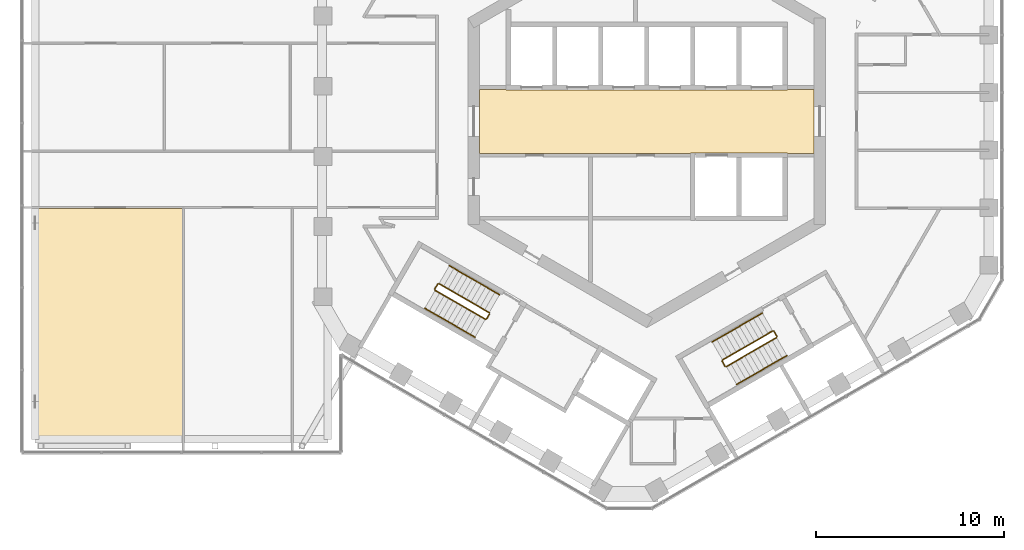
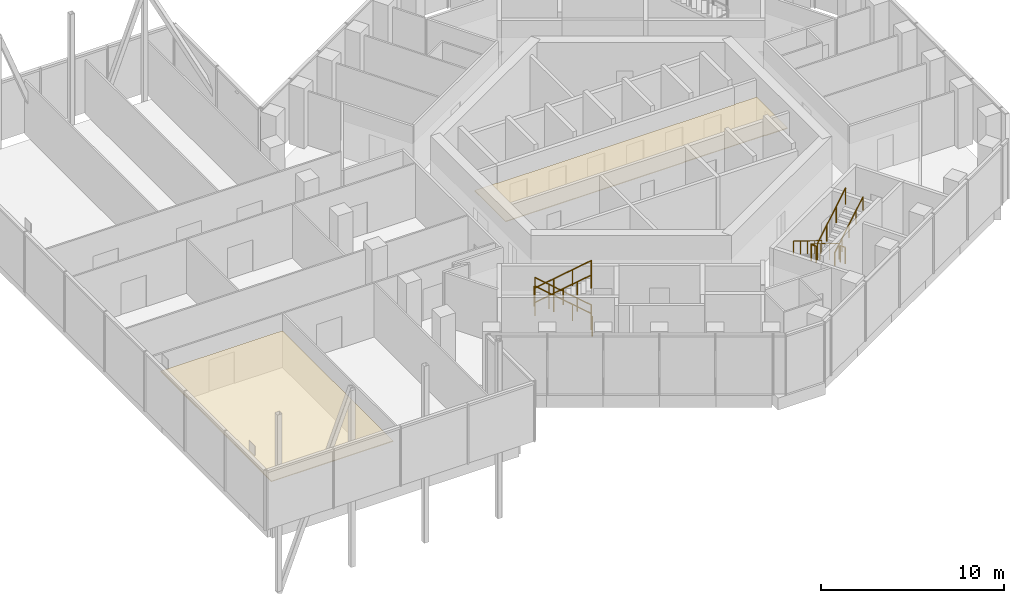
# One storey, part 20 of 21: 16 railings, 2 coverings.
"""IFC4 building model written with IfcOpenShell, lengths in metres."""

from ifc_helpers import new_model, si_unit, direction, frame, origin, origin_2d, place, context, subcontext, project, spatial, polyline, circle, outline, extrude, material, layer, layer_set, type_object, element, save


model = new_model("IFC4")

# Units and contexts
model_context = context("Model", 3, precision=1e-05, world=origin(), true_north=direction((0.0, 1.0)))
body_context = subcontext(model_context, "Body", "Model", "MODEL_VIEW")
ifc_project = project(units=[si_unit("LENGTHUNIT", "METRE"), si_unit("AREAUNIT", "SQUARE_METRE"), si_unit("VOLUMEUNIT", "CUBIC_METRE"), si_unit("PLANEANGLEUNIT", "RADIAN"), si_unit("MASSUNIT", "GRAM", prefix="KILO")], contexts=[model_context])

# Site, building, storey
site_placement = place(None, origin())
site = spatial("IfcSite", under=ifc_project, at=site_placement, CompositionType="ELEMENT")
building_placement = place(site_placement, origin())
building = spatial("IfcBuilding", under=site, at=building_placement, Name="Ayvan Gate Tower", CompositionType="ELEMENT")
storey_placement = place(building_placement, frame((0.0, 0.0, 206.10009765625)))
storey = spatial("IfcBuildingStorey", under=building, at=storey_placement, Name="L55", CompositionType="ELEMENT", Elevation=206.10009765625)

# Coverings
ifc_material_1 = material(Name="Plasterboard suspended ceiling")
ifc_layer = layer(ifc_material_1, 0.050048828125)
ifc_layer_set = layer_set([ifc_layer], Name="Plasterboard suspended ceiling")
covering_type = type_object("IfcCoveringType", Name="CT-SUSP-50", PredefinedType="CEILING", material=ifc_layer_set)
covering_1_placement = place(storey_placement, frame((0.0, 0.0, 2.39990234375)))
element("IfcCovering", 1, at=covering_1_placement, inside=storey, type_object=covering_type, Name="Ceiling Lift Lobby L55", PredefinedType="CEILING", context=body_context, shape_type="SweptSolid", body=[
    extrude(outline(polyline([(7.47509765625, -1.675048828125), (2.324951171875, -1.675048828125), (2.324951171875, -1.699951171875), (-8.89990234375, -1.699951171875), (-8.89990234375, 1.699951171875), (-7.47509765625, 1.699951171875), (-7.47509765625, 1.675048828125), (7.47509765625, 1.675048828125), (7.47509765625, 1.699951171875), (8.89990234375, 1.699951171875), (8.89990234375, -1.699951171875), (7.47509765625, -1.699951171875), (7.47509765625, -1.675048828125)])), origin(), (0.0, 0.0, 1.0), 0.050048828125),
])
covering_2_placement = place(storey_placement, frame((0.0, 0.0, 2.39990234375)))
element("IfcCovering", 2, at=covering_2_placement, inside=storey, type_object=covering_type, Name="Ceiling Reading Room 6 L55", PredefinedType="CEILING", context=body_context, shape_type="SweptSolid", body=[
    extrude(outline(polyline([(-24.68603515625, -4.628173828125), (-24.68603515625, -16.75), (-32.374267578125, -16.75), (-32.374267578125, -4.628173828125), (-24.68603515625, -4.628173828125)])), origin(), (0.0, 0.0, 1.0), 0.050048828125),
])

# Railings
ifc_material_2 = material(Name="Stainless steel balustrade", Category="steel")
railing_type_1 = type_object("IfcRailingType", Name="RL-GUARD-1100", PredefinedType="GUARDRAIL", material=ifc_material_2)
railing_1_placement = place(storey_placement, frame((-8.381103515625, -10.16650390625, 0.16650390625)))
element("IfcRailing", 3, at=railing_1_placement, inside=storey, type_object=railing_type_1, Name="L55 STS2 stair guard 1", PredefinedType="GUARDRAIL", context=body_context, shape_type="SweptSolid", body=[
    extrude(circle(Radius=0.02392578125, at=origin_2d()), frame((0.0, 0.0, 1.076171875), z_axis=(-0.7441639146, 0.429634447492, 0.511502013422), x_axis=(-0.499992328818, -0.866029832698, 0.0)), (0.0, 0.0, 1.0), 3.58447265625),
    extrude(circle(Radius=0.02099609375, at=origin_2d()), origin(), (0.0, 0.0, 1.0), 1.052001953125),
    extrude(circle(Radius=0.02099609375, at=origin_2d()), frame((-0.88916015625, 0.513427734375, 0.611083984375)), (0.0, 0.0, 1.0), 1.052001953125),
    extrude(circle(Radius=0.02099609375, at=origin_2d()), frame((-1.7783203125, 1.026611328125, 1.222412109375)), (0.0, 0.0, 1.0), 1.052001953125),
    extrude(circle(Radius=0.02099609375, at=origin_2d()), frame((-2.66748046875, 1.5400390625, 1.83349609375)), (0.0, 0.0, 1.0), 1.052001953125),
])
railing_2_placement = place(storey_placement, frame((-11.11669921875, -8.644775390625, 2.0)))
element("IfcRailing", 4, at=railing_2_placement, inside=storey, type_object=railing_type_1, Name="L55 STS2 stair guard 2", PredefinedType="GUARDRAIL", context=body_context, shape_type="SweptSolid", body=[
    extrude(circle(Radius=0.02392578125, at=origin_2d()), frame((0.0, 0.0, 1.076171875), z_axis=(-0.499949632511, -0.866054481515, 0.0), x_axis=(0.866054481515, -0.499949632511, 0.0)), (0.0, 0.0, 1.0), 0.31005859375),
    extrude(circle(Radius=0.02099609375, at=origin_2d()), origin(), (0.0, 0.0, 1.0), 1.052001953125),
    extrude(circle(Radius=0.02099609375, at=origin_2d()), frame((-0.155029296875, -0.2685546875, 0.0)), (0.0, 0.0, 1.0), 1.052001953125),
])
railing_3_placement = place(storey_placement, frame((-11.25341796875, -8.981689453125, 2.16650390625)))
element("IfcRailing", 5, at=railing_3_placement, inside=storey, type_object=railing_type_1, Name="L55 STS2 stair guard 3", PredefinedType="GUARDRAIL", context=body_context, shape_type="SweptSolid", body=[
    extrude(circle(Radius=0.02392578125, at=origin_2d()), frame((0.0, 0.0, 1.076171875), z_axis=(0.744155296881, -0.429600682602, 0.511542908886), x_axis=(0.499967199496, 0.866044340336, 0.0)), (0.0, 0.0, 1.0), 3.584228515625),
    extrude(circle(Radius=0.02099609375, at=origin_2d()), origin(), (0.0, 0.0, 1.0), 1.052001953125),
    extrude(circle(Radius=0.02099609375, at=origin_2d()), frame((0.88916015625, -0.51318359375, 0.611083984375)), (0.0, 0.0, 1.0), 1.052001953125),
    extrude(circle(Radius=0.02099609375, at=origin_2d()), frame((1.778076171875, -1.026611328125, 1.222412109375)), (0.0, 0.0, 1.0), 1.052001953125),
    extrude(circle(Radius=0.02099609375, at=origin_2d()), frame((2.667236328125, -1.539794921875, 1.83349609375)), (0.0, 0.0, 1.0), 1.052001953125),
])
railing_4_placement = place(storey_placement, frame((-8.36279296875, -10.23486328125, 0.0)))
element("IfcRailing", 6, at=railing_4_placement, inside=storey, type_object=railing_type_1, Name="L55 STS2 stair guard 4", PredefinedType="GUARDRAIL", context=body_context, shape_type="SweptSolid", body=[
    extrude(circle(Radius=0.02392578125, at=origin_2d()), frame((0.0, 0.0, 1.076171875), z_axis=(-0.500290723946, -0.86585748916, 0.0), x_axis=(0.86585748916, -0.500290723946, 0.0)), (0.0, 0.0, 1.0), 0.309814453125),
    extrude(circle(Radius=0.02099609375, at=origin_2d()), origin(), (0.0, 0.0, 1.0), 1.052001953125),
    extrude(circle(Radius=0.02099609375, at=origin_2d()), frame((-0.155029296875, -0.268310546875, 0.0)), (0.0, 0.0, 1.0), 1.052001953125),
])
railing_5_placement = place(storey_placement, frame((6.6923828125, -11.1416015625, 0.16650390625)))
element("IfcRailing", 7, at=railing_5_placement, inside=storey, type_object=railing_type_1, Name="L55 STS3 stair guard 1", PredefinedType="GUARDRAIL", context=body_context, shape_type="SweptSolid", body=[
    extrude(circle(Radius=0.02392578125, at=origin_2d()), frame((0.0, 0.0, 1.076171875), z_axis=(-0.74418568968, -0.429578907634, 0.511516980551), x_axis=(0.499932877268, -0.866064153644, 0.0)), (0.0, 0.0, 1.0), 3.58447265625),
    extrude(circle(Radius=0.02099609375, at=origin_2d()), origin(), (0.0, 0.0, 1.0), 1.052001953125),
    extrude(circle(Radius=0.02099609375, at=origin_2d()), frame((-0.88916015625, -0.51318359375, 0.611083984375)), (0.0, 0.0, 1.0), 1.052001953125),
    extrude(circle(Radius=0.02099609375, at=origin_2d()), frame((-1.7783203125, -1.026611328125, 1.222412109375)), (0.0, 0.0, 1.0), 1.052001953125),
    extrude(circle(Radius=0.02099609375, at=origin_2d()), frame((-2.66748046875, -1.539794921875, 1.83349609375)), (0.0, 0.0, 1.0), 1.052001953125),
])
railing_6_placement = place(storey_placement, frame((4.006591796875, -12.749755859375, 2.0)))
element("IfcRailing", 8, at=railing_6_placement, inside=storey, type_object=railing_type_1, Name="L55 STS3 stair guard 2", PredefinedType="GUARDRAIL", context=body_context, shape_type="SweptSolid", body=[
    extrude(circle(Radius=0.02392578125, at=origin_2d()), frame((0.0, 0.0, 1.076171875), z_axis=(0.499949632511, -0.866054481515, 0.0), x_axis=(0.866054481515, 0.499949632511, 0.0)), (0.0, 0.0, 1.0), 0.31005859375),
    extrude(circle(Radius=0.02099609375, at=origin_2d()), origin(), (0.0, 0.0, 1.0), 1.052001953125),
    extrude(circle(Radius=0.02099609375, at=origin_2d()), frame((0.155029296875, -0.2685546875, 0.0)), (0.0, 0.0, 1.0), 1.052001953125),
])
railing_7_placement = place(storey_placement, frame((4.22998046875, -13.03662109375, 2.16650390625)))
element("IfcRailing", 9, at=railing_7_placement, inside=storey, type_object=railing_type_1, Name="L55 STS3 stair guard 3", PredefinedType="GUARDRAIL", context=body_context, shape_type="SweptSolid", body=[
    extrude(circle(Radius=0.02392578125, at=origin_2d()), frame((0.0, 0.0, 1.076171875), z_axis=(0.7441639146, 0.429634447492, 0.511502013422), x_axis=(-0.499992328818, 0.866029832698, 0.0)), (0.0, 0.0, 1.0), 3.58447265625),
    extrude(circle(Radius=0.02099609375, at=origin_2d()), origin(), (0.0, 0.0, 1.0), 1.052001953125),
    extrude(circle(Radius=0.02099609375, at=origin_2d()), frame((0.88916015625, 0.513427734375, 0.611083984375)), (0.0, 0.0, 1.0), 1.052001953125),
    extrude(circle(Radius=0.02099609375, at=origin_2d()), frame((1.7783203125, 1.026611328125, 1.222412109375)), (0.0, 0.0, 1.0), 1.052001953125),
    extrude(circle(Radius=0.02099609375, at=origin_2d()), frame((2.66748046875, 1.5400390625, 1.83349609375)), (0.0, 0.0, 1.0), 1.052001953125),
])
railing_8_placement = place(storey_placement, frame((6.7607421875, -11.159912109375, 0.0)))
element("IfcRailing", 10, at=railing_8_placement, inside=storey, type_object=railing_type_1, Name="L55 STS3 stair guard 4", PredefinedType="GUARDRAIL", context=body_context, shape_type="SweptSolid", body=[
    extrude(circle(Radius=0.02392578125, at=origin_2d()), frame((0.0, 0.0, 1.076171875), z_axis=(0.500290723946, -0.86585748916, 0.0), x_axis=(0.86585748916, 0.500290723946, 0.0)), (0.0, 0.0, 1.0), 0.309814453125),
    extrude(circle(Radius=0.02099609375, at=origin_2d()), origin(), (0.0, 0.0, 1.0), 1.052001953125),
    extrude(circle(Radius=0.02099609375, at=origin_2d()), frame((0.155029296875, -0.268310546875, 0.0)), (0.0, 0.0, 1.0), 1.052001953125),
])
railing_type_2 = type_object("IfcRailingType", Name="RL-HANDRAIL-900", PredefinedType="HANDRAIL", material=ifc_material_2)
for number, where, name in (
    (11, (-7.8310546875, -9.2138671875, 0.16650390625), "L55 STS2 stair handrail 1"),
    (12, (-9.164794921875, -8.44384765625, 1.083251953125), "L55 STS2 stair handrail 2"),
):
    element("IfcRailing", number, at=place(storey_placement, frame(where)), inside=storey, type_object=railing_type_2, Name=name, PredefinedType="HANDRAIL", context=body_context, shape_type="SweptSolid", body=[
        extrude(circle(Radius=0.02392578125, at=origin_2d()), frame((0.0, 0.0, 0.8759765625), z_axis=(-0.7441639146, 0.429634447492, 0.511502013422), x_axis=(-0.499992328818, -0.866029832698, 0.0)), (0.0, 0.0, 1.0), 1.792236328125),
        extrude(circle(Radius=0.02099609375, at=origin_2d()), origin(), (0.0, 0.0, 1.0), 0.851806640625),
        extrude(circle(Radius=0.02099609375, at=origin_2d()), frame((-0.6669921875, 0.385009765625, 0.45849609375)), (0.0, 0.0, 1.0), 0.851806640625),
        extrude(circle(Radius=0.02099609375, at=origin_2d()), frame((-1.333740234375, 0.77001953125, 0.916748046875)), (0.0, 0.0, 1.0), 0.851806640625),
    ])
for number, where, name in (
    (13, (-11.803466796875, -9.93408203125, 2.16650390625), "L55 STS2 stair handrail 3"),
    (14, (-10.4697265625, -10.7041015625, 3.083251953125), "L55 STS2 stair handrail 4"),
):
    element("IfcRailing", number, at=place(storey_placement, frame(where)), inside=storey, type_object=railing_type_2, Name=name, PredefinedType="HANDRAIL", context=body_context, shape_type="SweptSolid", body=[
        extrude(circle(Radius=0.02392578125, at=origin_2d()), frame((0.0, 0.0, 0.8759765625), z_axis=(0.7441639146, -0.429634447492, 0.511502013422), x_axis=(0.499992328818, 0.866029832698, 0.0)), (0.0, 0.0, 1.0), 1.792236328125),
        extrude(circle(Radius=0.02099609375, at=origin_2d()), origin(), (0.0, 0.0, 1.0), 0.851806640625),
        extrude(circle(Radius=0.02099609375, at=origin_2d()), frame((0.6669921875, -0.385009765625, 0.45849609375)), (0.0, 0.0, 1.0), 0.851806640625),
        extrude(circle(Radius=0.02099609375, at=origin_2d()), frame((1.333740234375, -0.77001953125, 0.916748046875)), (0.0, 0.0, 1.0), 0.851806640625),
    ])
railing_9_placement = place(storey_placement, frame((6.142333984375, -10.18896484375, 0.16650390625)))
element("IfcRailing", 15, at=railing_9_placement, inside=storey, type_object=railing_type_2, Name="L55 STS3 stair handrail 1", PredefinedType="HANDRAIL", context=body_context, shape_type="SweptSolid", body=[
    extrude(circle(Radius=0.02392578125, at=origin_2d()), frame((0.0, 0.0, 0.8759765625), z_axis=(-0.7441639146, -0.429634447492, 0.511502013422), x_axis=(0.499992328818, -0.866029832698, 0.0)), (0.0, 0.0, 1.0), 1.792236328125),
    extrude(circle(Radius=0.02099609375, at=origin_2d()), origin(), (0.0, 0.0, 1.0), 0.851806640625),
    extrude(circle(Radius=0.02099609375, at=origin_2d()), frame((-0.6669921875, -0.385009765625, 0.45849609375)), (0.0, 0.0, 1.0), 0.851806640625),
    extrude(circle(Radius=0.02099609375, at=origin_2d()), frame((-1.333740234375, -0.77001953125, 0.916748046875)), (0.0, 0.0, 1.0), 0.851806640625),
])
railing_10_placement = place(storey_placement, frame((4.80859375, -10.958984375, 1.083251953125)))
element("IfcRailing", 16, at=railing_10_placement, inside=storey, type_object=railing_type_2, Name="L55 STS3 stair handrail 2", PredefinedType="HANDRAIL", context=body_context, shape_type="SweptSolid", body=[
    extrude(circle(Radius=0.02392578125, at=origin_2d()), frame((0.0, 0.0, 0.8759765625), z_axis=(-0.744146675635, -0.429566911072, 0.511583809412), x_axis=(0.499942064311, -0.866058850386, 0.0)), (0.0, 0.0, 1.0), 1.7919921875),
    extrude(circle(Radius=0.02099609375, at=origin_2d()), origin(), (0.0, 0.0, 1.0), 0.851806640625),
    extrude(circle(Radius=0.02099609375, at=origin_2d()), frame((-0.666748046875, -0.384765625, 0.45849609375)), (0.0, 0.0, 1.0), 0.851806640625),
    extrude(circle(Radius=0.02099609375, at=origin_2d()), frame((-1.33349609375, -0.769775390625, 0.916748046875)), (0.0, 0.0, 1.0), 0.851806640625),
])
railing_11_placement = place(storey_placement, frame((4.780029296875, -13.9892578125, 2.16650390625)))
element("IfcRailing", 17, at=railing_11_placement, inside=storey, type_object=railing_type_2, Name="L55 STS3 stair handrail 3", PredefinedType="HANDRAIL", context=body_context, shape_type="SweptSolid", body=[
    extrude(circle(Radius=0.02392578125, at=origin_2d()), frame((0.0, 0.0, 0.8759765625), z_axis=(0.7441639146, 0.429634447492, 0.511502013422), x_axis=(-0.499992328818, 0.866029832698, 0.0)), (0.0, 0.0, 1.0), 1.792236328125),
    extrude(circle(Radius=0.02099609375, at=origin_2d()), origin(), (0.0, 0.0, 1.0), 0.851806640625),
    extrude(circle(Radius=0.02099609375, at=origin_2d()), frame((0.6669921875, 0.385009765625, 0.45849609375)), (0.0, 0.0, 1.0), 0.851806640625),
    extrude(circle(Radius=0.02099609375, at=origin_2d()), frame((1.333740234375, 0.77001953125, 0.916748046875)), (0.0, 0.0, 1.0), 0.851806640625),
])
railing_12_placement = place(storey_placement, frame((6.11376953125, -13.21923828125, 3.083251953125)))
element("IfcRailing", 18, at=railing_12_placement, inside=storey, type_object=railing_type_2, Name="L55 STS3 stair handrail 4", PredefinedType="HANDRAIL", context=body_context, shape_type="SweptSolid", body=[
    extrude(circle(Radius=0.02392578125, at=origin_2d()), frame((0.0, 0.0, 0.8759765625), z_axis=(0.744103121745, 0.429678001828, 0.51155386711), x_axis=(-0.500060979923, 0.865990194147, 0.0)), (0.0, 0.0, 1.0), 1.7919921875),
    extrude(circle(Radius=0.02099609375, at=origin_2d()), origin(), (0.0, 0.0, 1.0), 0.851806640625),
    extrude(circle(Radius=0.02099609375, at=origin_2d()), frame((0.666748046875, 0.385009765625, 0.45849609375)), (0.0, 0.0, 1.0), 0.851806640625),
    extrude(circle(Radius=0.02099609375, at=origin_2d()), frame((1.33349609375, 0.77001953125, 0.916748046875)), (0.0, 0.0, 1.0), 0.851806640625),
])

save(model, "model.ifc")
